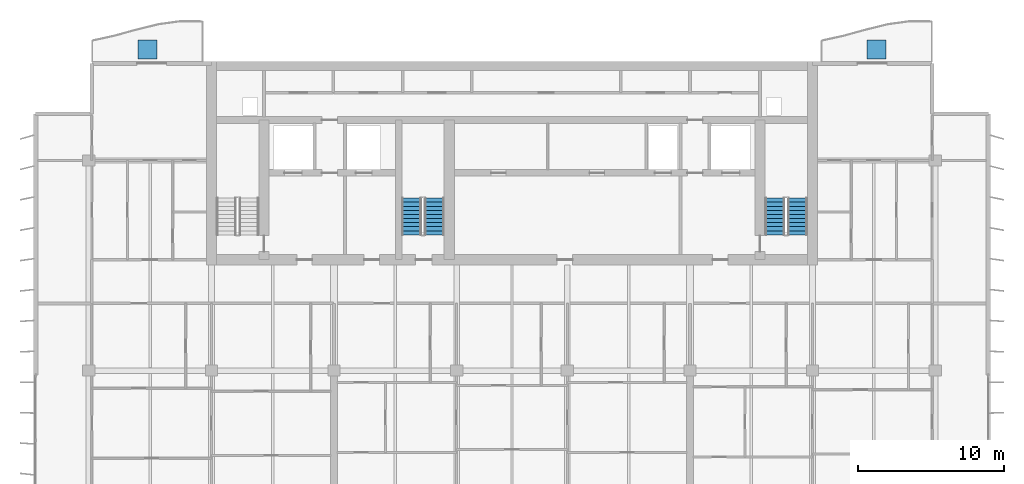
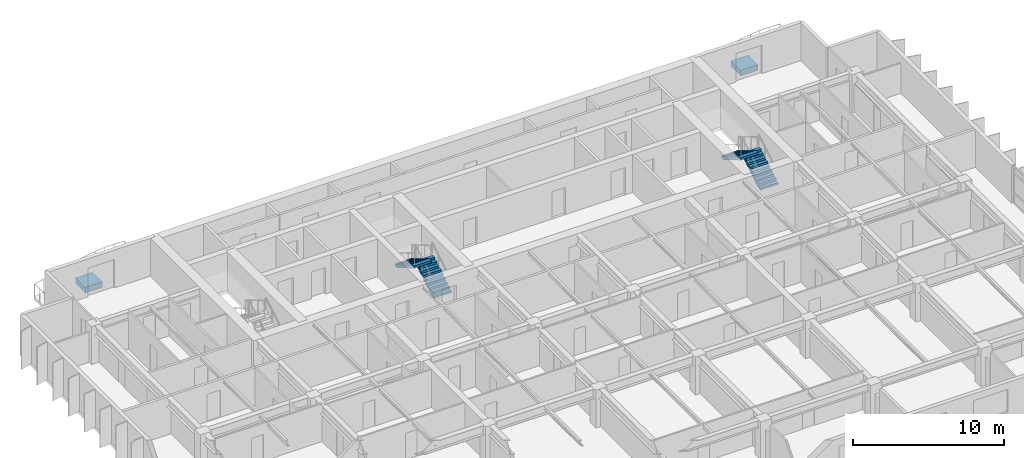
# One storey, part 12 of 16: 4 stair flights, 2 discrete accessories, 2 elements without a shape of their own.
"""IFC4 building model written with IfcOpenShell, lengths in metres."""

from ifc_helpers import new_model, si_unit, direction, frame, origin, origin_2d, place, context, subcontext, project, spatial, polyline, rectangle, outline, extrude, material, type_object, element, aggregate, save


model = new_model("IFC4")

# Units and contexts
model_context = context("Model", 3, precision=1e-05, world=origin(), true_north=direction((0.0, 1.0)))
body_context = subcontext(model_context, "Body", "Model", "MODEL_VIEW")
ifc_project = project(units=[si_unit("LENGTHUNIT", "METRE"), si_unit("AREAUNIT", "SQUARE_METRE"), si_unit("VOLUMEUNIT", "CUBIC_METRE"), si_unit("PLANEANGLEUNIT", "RADIAN"), si_unit("MASSUNIT", "GRAM", prefix="KILO")], contexts=[model_context])

# Site, building, storey
site_placement = place(None, origin())
site = spatial("IfcSite", under=ifc_project, at=site_placement, CompositionType="ELEMENT")
building_placement = place(site_placement, origin())
building = spatial("IfcBuilding", under=site, at=building_placement, Name="Caelmar Bay Residences", CompositionType="ELEMENT")
storey_placement = place(building_placement, frame((0.0, 0.0, 211.5)))
storey = spatial("IfcBuildingStorey", under=building, at=storey_placement, Name="L59", CompositionType="ELEMENT", Elevation=211.5)

# Stair, stair flights
ifc_material_1 = material(Name="Concrete f'c 40 MPa (6,000 psi)", Category="concrete")
stair_type = type_object("IfcStairType", Name="ST-TYP-165", PredefinedType="HALF_TURN_STAIR", material=ifc_material_1)
stair_1_placement = place(storey_placement, origin())
stair_1 = element("IfcStair", 1, at=stair_1_placement, inside=storey, type_object=stair_type, Name="L59 East Smokeproof Exit Stair ST2", PredefinedType="HALF_TURN_STAIR")
stair_flight_type = type_object("IfcStairFlightType", Name="STF-1350", PredefinedType="STRAIGHT", material=ifc_material_1)
stair_flight_1_placement = place(storey_placement, frame((58.47509765625, 38.699951171875, 0.0), z_axis=(0.0, 0.0, 1.0), x_axis=(0.0, 1.0, 0.0)))
stair_flight_1 = element("IfcStairFlight", 2, at=stair_flight_1_placement, type_object=stair_flight_type, Name="ST2 flight 1", NumberOfRisers=10, NumberOfTreads=9, PredefinedType="STRAIGHT", RiserHeight=0.165, TreadLength=0.28, context=body_context, shape_type="SweptSolid", body=[
    extrude(outline(polyline([(0.0, 0.0), (0.0, 0.1650390625), (0.280029296875, 0.1650390625), (0.280029296875, 0.330078125), (0.56005859375, 0.330078125), (0.56005859375, 0.4951171875), (0.840087890625, 0.4951171875), (0.840087890625, 0.659912109375), (1.1201171875, 0.659912109375), (1.1201171875, 0.824951171875), (1.39990234375, 0.824951171875), (1.39990234375, 0.989990234375), (1.679931640625, 0.989990234375), (1.679931640625, 1.155029296875), (1.9599609375, 1.155029296875), (1.9599609375, 1.320068359375), (2.239990234375, 1.320068359375), (2.239990234375, 1.485107421875), (2.52001953125, 1.485107421875), (2.52001953125, 1.64990234375), (2.52001953125, 1.31103515625), (0.295166015625, 0.0), (0.0, 0.0)])), frame((0.0, 0.675048828125, 0.0), z_axis=(0.0, -1.0, 0.0), x_axis=(1.0, 0.0, 0.0)), (0.0, 0.0, 1.0), 1.35009765625),
])
stair_flight_2_placement = place(storey_placement, frame((56.925048828125, 41.219970703125, 1.64990234375), z_axis=(0.0, 0.0, 1.0), x_axis=(0.0, -1.0, 0.0)))
stair_flight_2 = element("IfcStairFlight", 3, at=stair_flight_2_placement, type_object=stair_flight_type, Name="ST2 flight 2", NumberOfRisers=10, NumberOfTreads=9, PredefinedType="STRAIGHT", RiserHeight=0.165, TreadLength=0.28, context=body_context, shape_type="SweptSolid", body=[
    extrude(outline(polyline([(0.0, 0.0), (0.0, 0.1650390625), (0.280029296875, 0.1650390625), (0.280029296875, 0.330078125), (0.56005859375, 0.330078125), (0.56005859375, 0.4951171875), (0.840087890625, 0.4951171875), (0.840087890625, 0.659912109375), (1.1201171875, 0.659912109375), (1.1201171875, 0.824951171875), (1.39990234375, 0.824951171875), (1.39990234375, 0.989990234375), (1.679931640625, 0.989990234375), (1.679931640625, 1.155029296875), (1.9599609375, 1.155029296875), (1.9599609375, 1.320068359375), (2.239990234375, 1.320068359375), (2.239990234375, 1.485107421875), (2.52001953125, 1.485107421875), (2.52001953125, 1.64990234375), (2.52001953125, 1.31103515625), (0.295166015625, 0.0), (0.0, 0.0)])), frame((0.0, 0.675048828125, 0.0), z_axis=(0.0, -1.0, 0.0), x_axis=(1.0, 0.0, 0.0)), (0.0, 0.0, 1.0), 1.35009765625),
])
aggregate(stair_1, [stair_flight_1, stair_flight_2])

stair_2_placement = place(storey_placement, origin())
stair_2 = element("IfcStair", 4, at=stair_2_placement, inside=storey, type_object=stair_type, Name="L59 Central Smokeproof Exit Stair ST3", PredefinedType="HALF_TURN_STAIR")
stair_flight_3_placement = place(storey_placement, frame((33.574951171875, 38.699951171875, 0.0), z_axis=(0.0, 0.0, 1.0), x_axis=(0.0, 1.0, 0.0)))
stair_flight_3 = element("IfcStairFlight", 5, at=stair_flight_3_placement, type_object=stair_flight_type, Name="ST3 flight 1", NumberOfRisers=10, NumberOfTreads=9, PredefinedType="STRAIGHT", RiserHeight=0.165, TreadLength=0.28, context=body_context, shape_type="SweptSolid", body=[
    extrude(outline(polyline([(0.0, 0.0), (0.0, 0.1650390625), (0.280029296875, 0.1650390625), (0.280029296875, 0.330078125), (0.56005859375, 0.330078125), (0.56005859375, 0.4951171875), (0.840087890625, 0.4951171875), (0.840087890625, 0.659912109375), (1.1201171875, 0.659912109375), (1.1201171875, 0.824951171875), (1.39990234375, 0.824951171875), (1.39990234375, 0.989990234375), (1.679931640625, 0.989990234375), (1.679931640625, 1.155029296875), (1.9599609375, 1.155029296875), (1.9599609375, 1.320068359375), (2.239990234375, 1.320068359375), (2.239990234375, 1.485107421875), (2.52001953125, 1.485107421875), (2.52001953125, 1.64990234375), (2.52001953125, 1.31103515625), (0.295166015625, 0.0), (0.0, 0.0)])), frame((0.0, 0.675048828125, 0.0), z_axis=(0.0, -1.0, 0.0), x_axis=(1.0, 0.0, 0.0)), (0.0, 0.0, 1.0), 1.35009765625),
])
stair_flight_4_placement = place(storey_placement, frame((32.02490234375, 41.219970703125, 1.64990234375), z_axis=(0.0, 0.0, 1.0), x_axis=(0.0, -1.0, 0.0)))
stair_flight_4 = element("IfcStairFlight", 6, at=stair_flight_4_placement, type_object=stair_flight_type, Name="ST3 flight 2", NumberOfRisers=10, NumberOfTreads=9, PredefinedType="STRAIGHT", RiserHeight=0.165, TreadLength=0.28, context=body_context, shape_type="SweptSolid", body=[
    extrude(outline(polyline([(0.0, 0.0), (0.0, 0.1650390625), (0.280029296875, 0.1650390625), (0.280029296875, 0.330078125), (0.56005859375, 0.330078125), (0.56005859375, 0.4951171875), (0.840087890625, 0.4951171875), (0.840087890625, 0.659912109375), (1.1201171875, 0.659912109375), (1.1201171875, 0.824951171875), (1.39990234375, 0.824951171875), (1.39990234375, 0.989990234375), (1.679931640625, 0.989990234375), (1.679931640625, 1.155029296875), (1.9599609375, 1.155029296875), (1.9599609375, 1.320068359375), (2.239990234375, 1.320068359375), (2.239990234375, 1.485107421875), (2.52001953125, 1.485107421875), (2.52001953125, 1.64990234375), (2.52001953125, 1.31103515625), (0.295166015625, 0.0), (0.0, 0.0)])), frame((0.0, 0.675048828125, 0.0), z_axis=(0.0, -1.0, 0.0), x_axis=(1.0, 0.0, 0.0)), (0.0, 0.0, 1.0), 1.35009765625),
])
aggregate(stair_2, [stair_flight_3, stair_flight_4])

# Discrete accessories
ifc_material_2 = material(Name="Precast concrete f'c 40 MPa (6,000 psi)", Category="concrete")
discrete_accessory_type = type_object("IfcDiscreteAccessoryType", Name="STR-PLANTER-KERB-450", PredefinedType="USERDEFINED", material=ifc_material_2)
for number, where, z_axis, x_axis, name in (
    (7, (13.89990234375, 51.39990234375, 0.0), (0.0, 0.0, 1.0), (1.0, 0.0, 0.0), "L59 north_west Structural Tree Planter Kerb"),
    (8, (63.89990234375, 51.39990234375, 0.0), (0.0, 0.0, 1.0), (1.0, 0.0, 0.0), "L59 north_east Structural Tree Planter Kerb"),
):
    element("IfcDiscreteAccessory", number, at=place(storey_placement, frame(where, z_axis=z_axis, x_axis=x_axis)), inside=storey, type_object=discrete_accessory_type, Name=name, ObjectType="PLANTER", PredefinedType="USERDEFINED", context=body_context, shape_type="SweptSolid", body=[
        extrude(rectangle(XDim=1.300048828125, YDim=1.300048828125, at=origin_2d()), origin(), (0.0, 0.0, 1.0), 0.449951171875),
    ])

save(model, "model.ifc")
